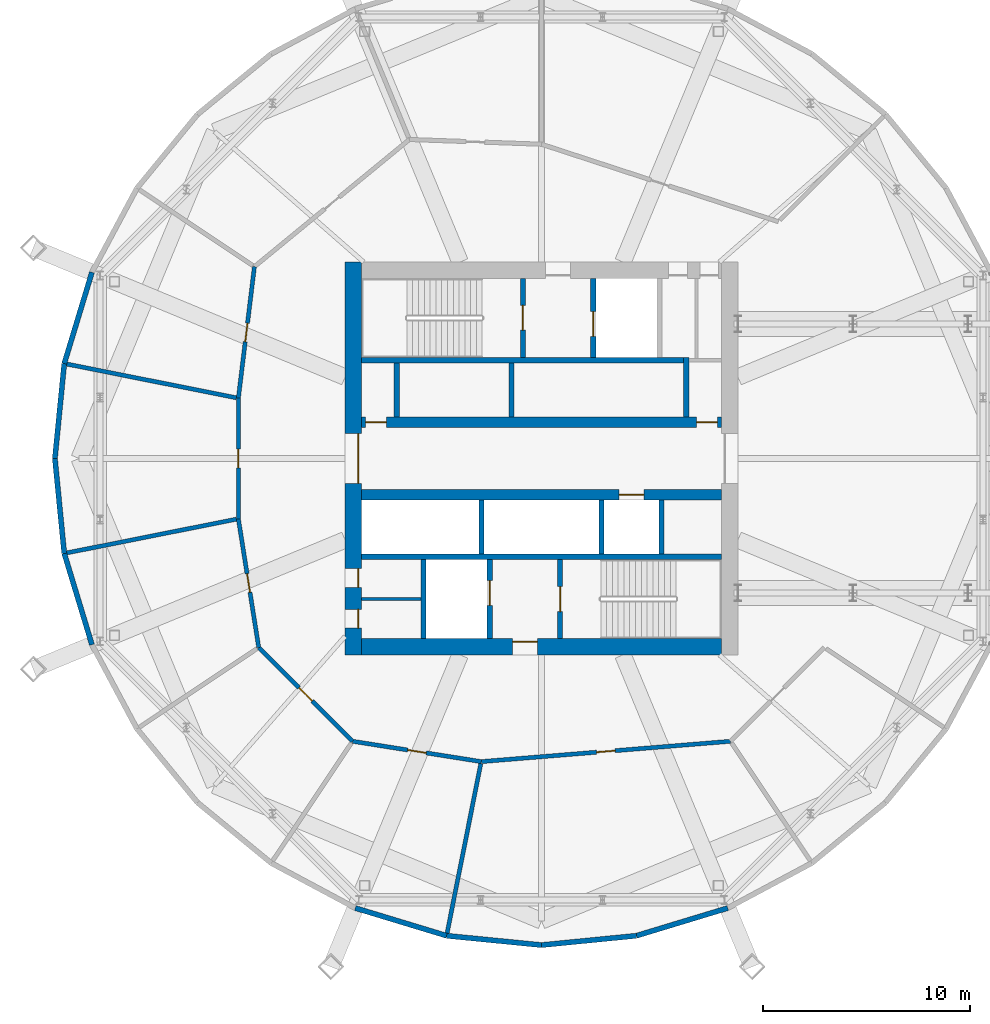
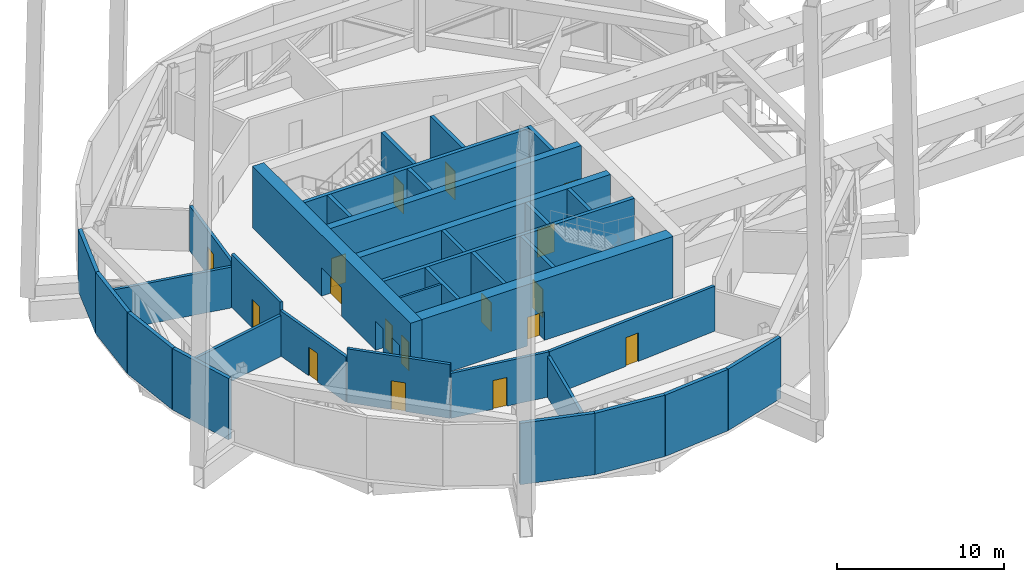
# One storey, part 13 of 19: 35 walls, 17 doors, 17 openings.
"""IFC4 building model written with IfcOpenShell, lengths in metres."""

from ifc_helpers import new_model, si_unit, direction, frame, frame_2d, origin, place, context, subcontext, project, spatial, rectangle, extrude, material, layer, layer_set, type_object, element, fill, save


model = new_model("IFC4")

# Units and contexts
model_context = context("Model", 3, precision=1e-05, world=origin(), true_north=direction((0.0, 1.0)))
body_context = subcontext(model_context, "Body", "Model", "MODEL_VIEW")
ifc_project = project(units=[si_unit("LENGTHUNIT", "METRE"), si_unit("AREAUNIT", "SQUARE_METRE"), si_unit("VOLUMEUNIT", "CUBIC_METRE"), si_unit("PLANEANGLEUNIT", "RADIAN"), si_unit("MASSUNIT", "GRAM", prefix="KILO")], contexts=[model_context])

# Site, building, storey
site_placement = place(None, origin())
site = spatial("IfcSite", under=ifc_project, at=site_placement, CompositionType="ELEMENT")
building_placement = place(site_placement, origin())
building = spatial("IfcBuilding", under=site, at=building_placement, Name="Ogive Gate Towers", CompositionType="ELEMENT")
storey_placement = place(building_placement, frame((0.0, 0.0, 130.800048828125)))
storey = spatial("IfcBuildingStorey", under=building, at=storey_placement, Name="L31", CompositionType="ELEMENT", Elevation=130.800048828125)

# Walls
ifc_material_1 = material(Name="Fire-rated block compartment wall")
ifc_layer_1 = layer(ifc_material_1, 0.199951171875)
ifc_layer_set_1 = layer_set([ifc_layer_1], Name="Compartment wall 200")
wall_type_1 = type_object("IfcWallType", Name="Compartment wall 200", PredefinedType="PARTITIONING", material=ifc_layer_set_1)
for number, where, z_axis, x_axis, name in (
    (1, (-59.096923828125, 4.59423828125, 0.0), (0.0, 0.0, 1.0), (0.980786532217, -0.195084028616, 0.0), "Partition T1-L31-005"),
    (2, (-59.096923828125, -4.59423828125, 0.0), (0.0, 0.0, 1.0), (0.980786532217, 0.195084028616, 0.0), "Partition T1-L31-006"),
    (3, (-40.59423828125, -23.096923828125, 0.0), (0.0, 0.0, 1.0), (0.195084028616, 0.980786532217, 0.0), "Partition T1-L31-009"),
):
    element("IfcWall", number, at=place(storey_placement, frame(where, z_axis=z_axis, x_axis=x_axis)), inside=storey, type_object=wall_type_1, Name=name, PredefinedType="PARTITIONING", context=body_context, shape_type="SweptSolid", body=[
        extrude(rectangle(XDim=8.507568359375, YDim=0.199951171875, at=frame_2d((4.25390625, 0.0))), origin(), (0.0, 0.0, 1.0), 3.0),
    ])

# Wall, opening, door
wall_1_placement = place(storey_placement, frame((-49.87890625, 9.273681640625, 0.0), z_axis=(0.0, 0.0, 1.0), x_axis=(-0.121121239306, -0.992637721119, 0.0)))
wall_1 = element("IfcWall", 4, at=wall_1_placement, inside=storey, type_object=wall_type_1, Name="Partition T1-L31-015", PredefinedType="PARTITIONING", context=body_context, shape_type="SweptSolid", body=[
    extrude(rectangle(XDim=6.40576171875, YDim=0.199951171875, at=frame_2d((3.202880859375, 0.0))), origin(), (0.0, 0.0, 1.0), 3.300048828125),
])
opening_1_placement = place(wall_1_placement, frame((2.7529296875, 0.0, 0.0)))
opening_1 = element("IfcOpeningElement", 5, at=opening_1_placement, cuts=wall_1, Name="Opening T1-L31-D04", PredefinedType="OPENING", context=body_context, shape_type="SweptSolid", body=[
    extrude(rectangle(XDim=0.89990234375, YDim=2.10009765625, at=frame_2d((0.449951171875, 1.050048828125))), frame((0.0, 0.10986328125, 0.0), z_axis=(0.0, -1.0, 0.0), x_axis=(1.0, 0.0, 0.0)), (0.0, 0.0, 1.0), 0.219970703125),
])
ifc_material_2 = material(Name="Steel fire door", Category="steel")
door_type_1 = type_object("IfcDoorType", Name="Fire door 900 FD30S", OperationType="NOTDEFINED", PredefinedType="DOOR", material=ifc_material_2)
door_1_placement = place(opening_1_placement, origin())
door_1 = element("IfcDoor", 6, at=door_1_placement, inside=storey, type_object=door_type_1, Name="Door T1-L31-D04", OperationType="SINGLE_SWING_RIGHT", OverallHeight=2.10009765625, OverallWidth=0.89990234375, PredefinedType="DOOR", context=body_context, shape_type="SweptSolid", body=[
    extrude(rectangle(XDim=0.89990234375, YDim=2.10009765625, at=frame_2d((0.449951171875, 1.050048828125))), frame((0.0, 0.02490234375, 0.0), z_axis=(0.0, -1.0, 0.0), x_axis=(1.0, 0.0, 0.0)), (0.0, 0.0, 1.0), 0.050048828125),
])
fill(opening_1, door_1)

wall_2_placement = place(storey_placement, frame((-50.65478515625, 2.9150390625, 0.0), z_axis=(0.0, 0.0, 1.0), x_axis=(0.0, -1.0, 0.0)))
wall_2 = element("IfcWall", 7, at=wall_2_placement, inside=storey, type_object=wall_type_1, Name="Partition T1-L31-016", PredefinedType="PARTITIONING", context=body_context, shape_type="SweptSolid", body=[
    extrude(rectangle(XDim=5.830078125, YDim=0.199951171875, at=frame_2d((2.9150390625, 0.0))), origin(), (0.0, 0.0, 1.0), 3.89990234375),
])
opening_2_placement = place(wall_2_placement, frame((2.465087890625, 0.0, 0.0)))
opening_2 = element("IfcOpeningElement", 8, at=opening_2_placement, cuts=wall_2, Name="Opening T1-L31-D05", PredefinedType="OPENING", context=body_context, shape_type="SweptSolid", body=[
    extrude(rectangle(XDim=0.89990234375, YDim=2.10009765625, at=frame_2d((0.449951171875, 1.050048828125))), frame((0.0, 0.10986328125, 0.0), z_axis=(0.0, -1.0, 0.0), x_axis=(1.0, 0.0, 0.0)), (0.0, 0.0, 1.0), 0.219970703125),
])
door_2_placement = place(opening_2_placement, origin())
door_2 = element("IfcDoor", 9, at=door_2_placement, inside=storey, type_object=door_type_1, Name="Door T1-L31-D05", OperationType="SINGLE_SWING_LEFT", OverallHeight=2.10009765625, OverallWidth=0.89990234375, PredefinedType="DOOR", context=body_context, shape_type="SweptSolid", body=[
    extrude(rectangle(XDim=0.89990234375, YDim=2.10009765625, at=frame_2d((0.449951171875, 1.050048828125))), frame((0.0, 0.02490234375, 0.0), z_axis=(0.0, -1.0, 0.0), x_axis=(1.0, 0.0, 0.0)), (0.0, 0.0, 1.0), 0.050048828125),
])
fill(opening_2, door_2)

wall_3_placement = place(storey_placement, frame((-50.65478515625, -2.9150390625, 0.0), z_axis=(0.0, 0.0, 1.0), x_axis=(0.156245277674, -0.987718286357, 0.0)))
wall_3 = element("IfcWall", 10, at=wall_3_placement, inside=storey, type_object=wall_type_1, Name="Partition T1-L31-017", PredefinedType="PARTITIONING", context=body_context, shape_type="SweptSolid", body=[
    extrude(rectangle(XDim=6.297119140625, YDim=0.199951171875, at=frame_2d((3.1484375, 0.0))), origin(), (0.0, 0.0, 1.0), 3.300048828125),
])
opening_3_placement = place(wall_3_placement, frame((2.697998046875, 0.0, 0.0)))
opening_3 = element("IfcOpeningElement", 11, at=opening_3_placement, cuts=wall_3, Name="Opening T1-L31-D06", PredefinedType="OPENING", context=body_context, shape_type="SweptSolid", body=[
    extrude(rectangle(XDim=0.89990234375, YDim=2.10009765625, at=frame_2d((0.449951171875, 1.050048828125))), frame((0.0, 0.10986328125, 0.0), z_axis=(0.0, -1.0, 0.0), x_axis=(1.0, 0.0, 0.0)), (0.0, 0.0, 1.0), 0.219970703125),
])
door_3_placement = place(opening_3_placement, origin())
door_3 = element("IfcDoor", 12, at=door_3_placement, inside=storey, type_object=door_type_1, Name="Door T1-L31-D06", OperationType="SINGLE_SWING_LEFT", OverallHeight=2.10009765625, OverallWidth=0.89990234375, PredefinedType="DOOR", context=body_context, shape_type="SweptSolid", body=[
    extrude(rectangle(XDim=0.89990234375, YDim=2.10009765625, at=frame_2d((0.449951171875, 1.050048828125))), frame((0.0, 0.02490234375, 0.0), z_axis=(0.0, -1.0, 0.0), x_axis=(1.0, 0.0, 0.0)), (0.0, 0.0, 1.0), 0.050048828125),
])
fill(opening_3, door_3)

wall_4_placement = place(storey_placement, frame((-49.6708984375, -9.134765625, 0.0), z_axis=(0.0, 0.0, 1.0), x_axis=(0.707106781187, -0.707106781187, 0.0)))
wall_4 = element("IfcWall", 13, at=wall_4_placement, inside=storey, type_object=wall_type_1, Name="Partition T1-L31-018", PredefinedType="PARTITIONING", context=body_context, shape_type="SweptSolid", body=[
    extrude(rectangle(XDim=6.4150390625, YDim=0.199951171875, at=frame_2d((3.20751953125, 0.0))), origin(), (0.0, 0.0, 1.0), 3.949951171875),
])
opening_4_placement = place(wall_4_placement, frame((2.758056640625, 0.0, 0.0)))
opening_4 = element("IfcOpeningElement", 14, at=opening_4_placement, cuts=wall_4, Name="Opening T1-L31-D07", PredefinedType="OPENING", context=body_context, shape_type="SweptSolid", body=[
    extrude(rectangle(XDim=0.89990234375, YDim=2.10009765625, at=frame_2d((0.449951171875, 1.050048828125))), frame((0.0, 0.10986328125, 0.0), z_axis=(0.0, -1.0, 0.0), x_axis=(1.0, 0.0, 0.0)), (0.0, 0.0, 1.0), 0.219970703125),
])
door_4_placement = place(opening_4_placement, origin())
door_4 = element("IfcDoor", 15, at=door_4_placement, inside=storey, type_object=door_type_1, Name="Door T1-L31-D07", OperationType="SINGLE_SWING_LEFT", OverallHeight=2.10009765625, OverallWidth=0.89990234375, PredefinedType="DOOR", context=body_context, shape_type="SweptSolid", body=[
    extrude(rectangle(XDim=0.89990234375, YDim=2.10009765625, at=frame_2d((0.449951171875, 1.050048828125))), frame((0.0, 0.02490234375, 0.0), z_axis=(0.0, -1.0, 0.0), x_axis=(1.0, 0.0, 0.0)), (0.0, 0.0, 1.0), 0.050048828125),
])
fill(opening_4, door_4)

wall_5_placement = place(storey_placement, frame((-45.134765625, -13.6708984375, 0.0), z_axis=(0.0, 0.0, 1.0), x_axis=(0.987718286357, -0.156245277674, 0.0)))
wall_5 = element("IfcWall", 16, at=wall_5_placement, inside=storey, type_object=wall_type_1, Name="Partition T1-L31-019", PredefinedType="PARTITIONING", context=body_context, shape_type="SweptSolid", body=[
    extrude(rectangle(XDim=6.297119140625, YDim=0.199951171875, at=frame_2d((3.1484375, 0.0))), origin(), (0.0, 0.0, 1.0), 3.300048828125),
])
opening_5_placement = place(wall_5_placement, frame((2.697998046875, 0.0, 0.0)))
opening_5 = element("IfcOpeningElement", 17, at=opening_5_placement, cuts=wall_5, Name="Opening T1-L31-D08", PredefinedType="OPENING", context=body_context, shape_type="SweptSolid", body=[
    extrude(rectangle(XDim=0.89990234375, YDim=2.10009765625, at=frame_2d((0.449951171875, 1.050048828125))), frame((0.0, 0.10986328125, 0.0), z_axis=(0.0, -1.0, 0.0), x_axis=(1.0, 0.0, 0.0)), (0.0, 0.0, 1.0), 0.219970703125),
])
door_5_placement = place(opening_5_placement, origin())
door_5 = element("IfcDoor", 18, at=door_5_placement, inside=storey, type_object=door_type_1, Name="Door T1-L31-D08", OperationType="SINGLE_SWING_RIGHT", OverallHeight=2.10009765625, OverallWidth=0.89990234375, PredefinedType="DOOR", context=body_context, shape_type="SweptSolid", body=[
    extrude(rectangle(XDim=0.89990234375, YDim=2.10009765625, at=frame_2d((0.449951171875, 1.050048828125))), frame((0.0, 0.02490234375, 0.0), z_axis=(0.0, -1.0, 0.0), x_axis=(1.0, 0.0, 0.0)), (0.0, 0.0, 1.0), 0.050048828125),
])
fill(opening_5, door_5)

wall_6_placement = place(storey_placement, frame((-38.9150390625, -14.65478515625, 0.0), z_axis=(0.0, 0.0, 1.0), x_axis=(0.996683078346, 0.081380841351, 0.0)))
wall_6 = element("IfcWall", 19, at=wall_6_placement, inside=storey, type_object=wall_type_1, Name="Partition T1-L31-020", PredefinedType="PARTITIONING", context=body_context, shape_type="SweptSolid", body=[
    extrude(rectangle(XDim=12.08984375, YDim=0.199951171875, at=frame_2d((6.044921875, 0.0))), origin(), (0.0, 0.0, 1.0), 3.300048828125),
])
opening_6_placement = place(wall_6_placement, frame((5.594970703125, 0.0, 0.0)))
opening_6 = element("IfcOpeningElement", 20, at=opening_6_placement, cuts=wall_6, Name="Opening T1-L31-D09", PredefinedType="OPENING", context=body_context, shape_type="SweptSolid", body=[
    extrude(rectangle(XDim=0.89990234375, YDim=2.10009765625, at=frame_2d((0.449951171875, 1.050048828125))), frame((0.0, 0.10986328125, 0.0), z_axis=(0.0, -1.0, 0.0), x_axis=(1.0, 0.0, 0.0)), (0.0, 0.0, 1.0), 0.219970703125),
])
door_6_placement = place(opening_6_placement, origin())
door_6 = element("IfcDoor", 21, at=door_6_placement, inside=storey, type_object=door_type_1, Name="Door T1-L31-D09", OperationType="SINGLE_SWING_LEFT", OverallHeight=2.10009765625, OverallWidth=0.89990234375, PredefinedType="DOOR", context=body_context, shape_type="SweptSolid", body=[
    extrude(rectangle(XDim=0.89990234375, YDim=2.10009765625, at=frame_2d((0.449951171875, 1.050048828125))), frame((0.0, 0.02490234375, 0.0), z_axis=(0.0, -1.0, 0.0), x_axis=(1.0, 0.0, 0.0)), (0.0, 0.0, 1.0), 0.050048828125),
])
fill(opening_6, door_6)

ifc_material_3 = material(Name="Concrete C60/75", Category="concrete")
ifc_layer_2 = layer(ifc_material_3, 0.800048828125)
ifc_layer_set_2 = layer_set([ifc_layer_2], Name="Core wall 800 mm")
wall_type_2 = type_object("IfcWallType", Name="Core wall 800 mm", PredefinedType="SHEAR", material=ifc_layer_set_2)
wall_7_placement = place(storey_placement, frame((-44.699951171875, -9.10009765625, 0.0), z_axis=(0.0, 0.0, 1.0), x_axis=(1.0, 0.0, 0.0)))
wall_7 = element("IfcWall", 22, at=wall_7_placement, inside=storey, type_object=wall_type_2, Name="T1 L31 Core wall 800 mm", PredefinedType="SHEAR", context=body_context, shape_type="SweptSolid", body=[
    extrude(rectangle(XDim=17.39990234375, YDim=0.800048828125, at=frame_2d((8.699951171875, 0.0))), origin(), (0.0, 0.0, 1.0), 4.5),
])
opening_7_placement = place(wall_7_placement, frame((7.300048828125, 0.0, 0.0)))
opening_7 = element("IfcOpeningElement", 23, at=opening_7_placement, cuts=wall_7, Name="Opening KD-T1-L31-11", PredefinedType="OPENING", context=body_context, shape_type="SweptSolid", body=[
    extrude(rectangle(XDim=1.199951171875, YDim=2.10009765625, at=frame_2d((0.60009765625, 1.050048828125))), frame((0.0, 0.41015625, 0.0), z_axis=(0.0, -1.0, 0.0), x_axis=(1.0, 0.0, 0.0)), (0.0, 0.0, 1.0), 0.820068359375),
])
door_type_2 = type_object("IfcDoorType", Name="Core door FD60S 1200 x 2100", OperationType="NOTDEFINED", PredefinedType="DOOR", material=ifc_material_2)
door_7_placement = place(opening_7_placement, origin())
door_7 = element("IfcDoor", 24, at=door_7_placement, inside=storey, type_object=door_type_2, Name="T1 L31 Fire-fighting lobby door", OperationType="SINGLE_SWING_RIGHT", OverallHeight=2.10009765625, OverallWidth=1.199951171875, PredefinedType="DOOR", context=body_context, shape_type="SweptSolid", body=[
    extrude(rectangle(XDim=1.199951171875, YDim=2.10009765625, at=frame_2d((0.60009765625, 1.050048828125))), frame((0.0, 0.27490234375, 0.0), z_axis=(0.0, -1.0, 0.0), x_axis=(1.0, 0.0, 0.0)), (0.0, 0.0, 1.0), 0.050048828125),
])
fill(opening_7, door_7)

# Wall, openings, doors
wall_8_placement = place(storey_placement, frame((-45.10009765625, -9.5, 0.0), z_axis=(0.0, 0.0, 1.0), x_axis=(0.0, 1.0, 0.0)))
wall_8 = element("IfcWall", 25, at=wall_8_placement, inside=storey, type_object=wall_type_2, Name="T1 L31 Core wall 800 mm", PredefinedType="SHEAR", context=body_context, shape_type="SweptSolid", body=[
    extrude(rectangle(XDim=19.0, YDim=0.800048828125, at=frame_2d((9.5, 0.0))), origin(), (0.0, 0.0, 1.0), 4.5),
])
opening_8_placement = place(wall_8_placement, frame((8.300048828125, 0.0, 0.0)))
opening_8 = element("IfcOpeningElement", 26, at=opening_8_placement, cuts=wall_8, Name="Opening KD-T1-L31-01", PredefinedType="OPENING", context=body_context, shape_type="SweptSolid", body=[
    extrude(rectangle(XDim=2.39990234375, YDim=2.10009765625, at=frame_2d((1.199951171875, 1.050048828125))), frame((0.0, 0.41015625, 0.0), z_axis=(0.0, -1.0, 0.0), x_axis=(1.0, 0.0, 0.0)), (0.0, 0.0, 1.0), 0.820068359375),
])
opening_9_placement = place(wall_8_placement, frame((1.300048828125, 0.0, 0.0)))
opening_9 = element("IfcOpeningElement", 27, at=opening_9_placement, cuts=wall_8, Name="Opening KD-T1-L31-14", PredefinedType="OPENING", context=body_context, shape_type="SweptSolid", body=[
    extrude(rectangle(XDim=0.89990234375, YDim=2.10009765625, at=frame_2d((0.449951171875, 1.050048828125))), frame((0.0, 0.41015625, 0.0), z_axis=(0.0, -1.0, 0.0), x_axis=(1.0, 0.0, 0.0)), (0.0, 0.0, 1.0), 0.820068359375),
])
opening_10_placement = place(wall_8_placement, frame((3.27490234375, 0.0, 0.0)))
opening_10 = element("IfcOpeningElement", 28, at=opening_10_placement, cuts=wall_8, Name="Opening KD-T1-L31-15", PredefinedType="OPENING", context=body_context, shape_type="SweptSolid", body=[
    extrude(rectangle(XDim=0.89990234375, YDim=2.10009765625, at=frame_2d((0.449951171875, 1.050048828125))), frame((0.0, 0.41015625, 0.0), z_axis=(0.0, -1.0, 0.0), x_axis=(1.0, 0.0, 0.0)), (0.0, 0.0, 1.0), 0.820068359375),
])
door_type_3 = type_object("IfcDoorType", Name="Core door FD60S 900 x 2100", OperationType="NOTDEFINED", PredefinedType="DOOR", material=ifc_material_2)
door_8_placement = place(opening_9_placement, origin())
door_8 = element("IfcDoor", 29, at=door_8_placement, inside=storey, type_object=door_type_3, Name="T1 L31 Core door", OperationType="SINGLE_SWING_LEFT", OverallHeight=2.10009765625, OverallWidth=0.89990234375, PredefinedType="DOOR", context=body_context, shape_type="SweptSolid", body=[
    extrude(rectangle(XDim=0.89990234375, YDim=2.10009765625, at=frame_2d((0.449951171875, 1.050048828125))), frame((0.0, -0.22509765625, 0.0), z_axis=(0.0, -1.0, 0.0), x_axis=(1.0, 0.0, 0.0)), (0.0, 0.0, 1.0), 0.050048828125),
])
fill(opening_9, door_8)
door_9_placement = place(opening_10_placement, origin())
door_9 = element("IfcDoor", 30, at=door_9_placement, inside=storey, type_object=door_type_3, Name="T1 L31 Core door", OperationType="SINGLE_SWING_RIGHT", OverallHeight=2.10009765625, OverallWidth=0.89990234375, PredefinedType="DOOR", context=body_context, shape_type="SweptSolid", body=[
    extrude(rectangle(XDim=0.89990234375, YDim=2.10009765625, at=frame_2d((0.449951171875, 1.050048828125))), frame((0.0, -0.22509765625, 0.0), z_axis=(0.0, -1.0, 0.0), x_axis=(1.0, 0.0, 0.0)), (0.0, 0.0, 1.0), 0.050048828125),
])
fill(opening_10, door_9)
door_type_4 = type_object("IfcDoorType", Name="Core double door FD60S 2400 x 2100", OperationType="DOUBLE_DOOR_SINGLE_SWING", PredefinedType="DOOR", material=ifc_material_2)
door_10_placement = place(opening_8_placement, origin())
door_10 = element("IfcDoor", 31, at=door_10_placement, inside=storey, type_object=door_type_4, Name="T1 L31 Core door double", OperationType="DOUBLE_DOOR_SINGLE_SWING", OverallHeight=2.10009765625, OverallWidth=2.39990234375, PredefinedType="DOOR", context=body_context, shape_type="SweptSolid", body=[
    extrude(rectangle(XDim=2.39990234375, YDim=2.10009765625, at=frame_2d((1.199951171875, 1.050048828125))), frame((0.0, -0.22509765625, 0.0), z_axis=(0.0, -1.0, 0.0), x_axis=(1.0, 0.0, 0.0)), (0.0, 0.0, 1.0), 0.050048828125),
])
fill(opening_8, door_10)

# Walls
ifc_material_4 = material(Name="Pale metal aluminium louvre", Category="aluminium")
ifc_layer_3 = layer(ifc_material_4, 0.25)
ifc_layer_set_3 = layer_set([ifc_layer_3], Name="Plant louvre wall")
wall_type_3 = type_object("IfcWallType", Name="Plant louvre wall", PredefinedType="SOLIDWALL", material=ifc_layer_set_3)
for number, where, z_axis, x_axis, name in (
    (32, (-57.734130859375, 9.002685546875, 0.0), (0.0, 0.0, 1.0), (-0.290318871111, -0.956929962472, 0.0), "Plant louvre wall"),
    (33, (-59.072998046875, 4.589599609375, 0.0), (0.0, 0.0, 1.0), (-0.097988833916, -0.995187514204, 0.0), "Plant louvre wall"),
    (34, (-59.52490234375, 0.0, 0.0), (0.0, 0.0, 1.0), (0.097988833916, -0.995187514204, 0.0), "Plant louvre wall"),
    (35, (-59.072998046875, -4.589599609375, 0.0), (0.0, 0.0, 1.0), (0.290318871111, -0.956929962472, 0.0), "Plant louvre wall"),
    (36, (-45.002685546875, -21.734130859375, 0.0), (0.0, 0.0, 1.0), (0.956929962472, -0.290318871111, 0.0), "Plant louvre wall"),
    (37, (-40.589599609375, -23.072998046875, 0.0), (0.0, 0.0, 1.0), (0.995187514204, -0.097988833916, 0.0), "Plant louvre wall"),
    (38, (-36.0, -23.52490234375, 0.0), (0.0, 0.0, 1.0), (0.995187514204, 0.097988833916, 0.0), "Plant louvre wall"),
    (39, (-31.410400390625, -23.072998046875, 0.0), (0.0, 0.0, 1.0), (0.956929962472, 0.290318871111, 0.0), "Plant louvre wall"),
):
    element("IfcWall", number, at=place(storey_placement, frame(where, z_axis=z_axis, x_axis=x_axis)), inside=storey, type_object=wall_type_3, Name=name, PredefinedType="SOLIDWALL", context=body_context, shape_type="SweptSolid", body=[
        extrude(rectangle(XDim=4.61181640625, YDim=0.25, at=frame_2d((2.305908203125, 0.0))), origin(), (0.0, 0.0, 1.0), 4.5),
    ])
ifc_material_5 = material(Name="Gypsum board partition")
ifc_layer_4 = layer(ifc_material_5, 0.14990234375)
ifc_layer_set_4 = layer_set([ifc_layer_4], Name="Room partition 150 mm")
wall_type_4 = type_object("IfcWallType", Name="Room partition 150 mm", PredefinedType="PARTITIONING", material=ifc_layer_set_4)
wall_9_placement = place(storey_placement, frame((-44.699951171875, -6.800048828125, 0.0), z_axis=(0.0, 0.0, 1.0), x_axis=(1.0, 0.0, 0.0)))
element("IfcWall", 40, at=wall_9_placement, inside=storey, type_object=wall_type_4, Name="T1 L31 Room partition 150 mm", PredefinedType="PARTITIONING", context=body_context, shape_type="SweptSolid", body=[
    extrude(rectangle(XDim=2.875, YDim=0.14990234375, at=frame_2d((1.4375, 0.0))), origin(), (0.0, 0.0, 1.0), 4.5),
])
ifc_layer_5 = layer(ifc_material_3, 0.25)
ifc_layer_set_5 = layer_set([ifc_layer_5], Name="Shaft wall 250 mm")
wall_type_5 = type_object("IfcWallType", Name="Shaft wall 250 mm", PredefinedType="SHEAR", material=ifc_layer_set_5)
wall_10_placement = place(storey_placement, frame((-44.699951171875, -4.75, 0.0), z_axis=(0.0, 0.0, 1.0), x_axis=(1.0, 0.0, 0.0)))
element("IfcWall", 41, at=wall_10_placement, inside=storey, type_object=wall_type_5, Name="T1 L31 Shaft wall 250 mm", PredefinedType="SHEAR", context=body_context, shape_type="SweptSolid", body=[
    extrude(rectangle(XDim=17.39990234375, YDim=0.25, at=frame_2d((8.699951171875, 0.0))), origin(), (0.0, 0.0, 1.0), 4.5),
])
wall_11_placement = place(storey_placement, frame((-44.699951171875, 4.75, 0.0), z_axis=(0.0, 0.0, 1.0), x_axis=(1.0, 0.0, 0.0)))
element("IfcWall", 42, at=wall_11_placement, inside=storey, type_object=wall_type_5, Name="T1 L31 Shaft wall 250 mm", PredefinedType="SHEAR", context=body_context, shape_type="SweptSolid", body=[
    extrude(rectangle(XDim=15.574951171875, YDim=0.25, at=frame_2d((7.78759765625, 0.0))), origin(), (0.0, 0.0, 1.0), 4.5),
])
wall_12_placement = place(storey_placement, frame((-43.0, 2.0, 0.0), z_axis=(0.0, 0.0, 1.0), x_axis=(0.0, 1.0, 0.0)))
element("IfcWall", 43, at=wall_12_placement, inside=storey, type_object=wall_type_5, Name="T1 L31 Shaft wall 250 mm", PredefinedType="SHEAR", context=body_context, shape_type="SweptSolid", body=[
    extrude(rectangle(XDim=2.625, YDim=0.25, at=frame_2d((1.3125, 0.0))), origin(), (0.0, 0.0, 1.0), 4.5),
])
wall_13_placement = place(storey_placement, frame((-41.699951171875, -8.699951171875, 0.0), z_axis=(0.0, 0.0, 1.0), x_axis=(0.0, 1.0, 0.0)))
element("IfcWall", 44, at=wall_13_placement, inside=storey, type_object=wall_type_5, Name="T1 L31 Shaft wall 250 mm", PredefinedType="SHEAR", context=body_context, shape_type="SweptSolid", body=[
    extrude(rectangle(XDim=3.824951171875, YDim=0.25, at=frame_2d((1.91259765625, 0.0))), origin(), (0.0, 0.0, 1.0), 4.5),
])
wall_14_placement = place(storey_placement, frame((-38.89990234375, -4.625, 0.0), z_axis=(0.0, 0.0, 1.0), x_axis=(0.0, 1.0, 0.0)))
element("IfcWall", 45, at=wall_14_placement, inside=storey, type_object=wall_type_5, Name="T1 L31 Shaft wall 250 mm", PredefinedType="SHEAR", context=body_context, shape_type="SweptSolid", body=[
    extrude(rectangle(XDim=2.625, YDim=0.25, at=frame_2d((1.3125, 0.0))), origin(), (0.0, 0.0, 1.0), 4.5),
])

# Wall, opening, door
wall_15_placement = place(storey_placement, frame((-38.5, -8.699951171875, 0.0), z_axis=(0.0, 0.0, 1.0), x_axis=(0.0, 1.0, 0.0)))
wall_15 = element("IfcWall", 46, at=wall_15_placement, inside=storey, type_object=wall_type_5, Name="T1 L31 Shaft wall 250 mm", PredefinedType="SHEAR", context=body_context, shape_type="SweptSolid", body=[
    extrude(rectangle(XDim=3.824951171875, YDim=0.25, at=frame_2d((1.91259765625, 0.0))), origin(), (0.0, 0.0, 1.0), 4.5),
])
opening_11_placement = place(wall_15_placement, frame((1.60009765625, 0.0, 0.0)))
opening_11 = element("IfcOpeningElement", 47, at=opening_11_placement, cuts=wall_15, Name="Opening LD-T1-L31-07", PredefinedType="OPENING", context=body_context, shape_type="SweptSolid", body=[
    extrude(rectangle(XDim=1.199951171875, YDim=2.10009765625, at=frame_2d((0.60009765625, 1.050048828125))), frame((0.0, 0.135009765625, 0.0), z_axis=(0.0, -1.0, 0.0), x_axis=(1.0, 0.0, 0.0)), (0.0, 0.0, 1.0), 0.27001953125),
])
ifc_material_6 = material(Name="Stainless steel landing door", Category="steel")
door_type_5 = type_object("IfcDoorType", Name="Landing door 1200 x 2100", OperationType="SLIDING_TO_LEFT", PredefinedType="DOOR", material=ifc_material_6)
door_11_placement = place(opening_11_placement, origin())
door_11 = element("IfcDoor", 48, at=door_11_placement, inside=storey, type_object=door_type_5, Name="T1 L31 Lift landing door FF2", OperationType="SLIDING_TO_LEFT", OverallHeight=2.10009765625, OverallWidth=1.199951171875, PredefinedType="DOOR", context=body_context, shape_type="SweptSolid", body=[
    extrude(rectangle(XDim=1.199951171875, YDim=2.10009765625, at=frame_2d((0.60009765625, 1.050048828125))), frame((0.0, 0.02490234375, 0.0), z_axis=(0.0, -1.0, 0.0), x_axis=(1.0, 0.0, 0.0)), (0.0, 0.0, 1.0), 0.050048828125),
])
fill(opening_11, door_11)

# Wall
wall_16_placement = place(storey_placement, frame((-37.449951171875, 2.0, 0.0), z_axis=(0.0, 0.0, 1.0), x_axis=(0.0, 1.0, 0.0)))
element("IfcWall", 49, at=wall_16_placement, inside=storey, type_object=wall_type_5, Name="T1 L31 Shaft wall 250 mm", PredefinedType="SHEAR", context=body_context, shape_type="SweptSolid", body=[
    extrude(rectangle(XDim=2.625, YDim=0.25, at=frame_2d((1.3125, 0.0))), origin(), (0.0, 0.0, 1.0), 4.5),
])

# Wall, opening, door
wall_17_placement = place(storey_placement, frame((-36.89990234375, 4.875, 0.0), z_axis=(0.0, 0.0, 1.0), x_axis=(0.0, 1.0, 0.0)))
wall_17 = element("IfcWall", 50, at=wall_17_placement, inside=storey, type_object=wall_type_5, Name="T1 L31 Shaft wall 250 mm", PredefinedType="SHEAR", context=body_context, shape_type="SweptSolid", body=[
    extrude(rectangle(XDim=3.824951171875, YDim=0.25, at=frame_2d((1.91259765625, 0.0))), origin(), (0.0, 0.0, 1.0), 4.5),
])
opening_12_placement = place(wall_17_placement, frame((1.324951171875, 0.0, 0.0)))
opening_12 = element("IfcOpeningElement", 51, at=opening_12_placement, cuts=wall_17, Name="Opening KD-T1-L31-08", PredefinedType="OPENING", context=body_context, shape_type="SweptSolid", body=[
    extrude(rectangle(XDim=1.199951171875, YDim=2.10009765625, at=frame_2d((0.60009765625, 1.050048828125))), frame((0.0, 0.135009765625, 0.0), z_axis=(0.0, -1.0, 0.0), x_axis=(1.0, 0.0, 0.0)), (0.0, 0.0, 1.0), 0.27001953125),
])
door_12_placement = place(opening_12_placement, origin())
door_12 = element("IfcDoor", 52, at=door_12_placement, inside=storey, type_object=door_type_2, Name="T1 L31 Stair door", OperationType="SINGLE_SWING_LEFT", OverallHeight=2.10009765625, OverallWidth=1.199951171875, PredefinedType="DOOR", context=body_context, shape_type="SweptSolid", body=[
    extrude(rectangle(XDim=1.199951171875, YDim=2.10009765625, at=frame_2d((0.60009765625, 1.050048828125))), frame((0.0, 0.02490234375, 0.0), z_axis=(0.0, -1.0, 0.0), x_axis=(1.0, 0.0, 0.0)), (0.0, 0.0, 1.0), 0.050048828125),
])
fill(opening_12, door_12)

wall_18_placement = place(storey_placement, frame((-35.10009765625, -8.699951171875, 0.0), z_axis=(0.0, 0.0, 1.0), x_axis=(0.0, 1.0, 0.0)))
wall_18 = element("IfcWall", 53, at=wall_18_placement, inside=storey, type_object=wall_type_5, Name="T1 L31 Shaft wall 250 mm", PredefinedType="SHEAR", context=body_context, shape_type="SweptSolid", body=[
    extrude(rectangle(XDim=3.824951171875, YDim=0.25, at=frame_2d((1.91259765625, 0.0))), origin(), (0.0, 0.0, 1.0), 4.5),
])
opening_13_placement = place(wall_18_placement, frame((1.300048828125, 0.0, 0.0)))
opening_13 = element("IfcOpeningElement", 54, at=opening_13_placement, cuts=wall_18, Name="Opening KD-T1-L31-09", PredefinedType="OPENING", context=body_context, shape_type="SweptSolid", body=[
    extrude(rectangle(XDim=1.199951171875, YDim=2.10009765625, at=frame_2d((0.60009765625, 1.050048828125))), frame((0.0, 0.135009765625, 0.0), z_axis=(0.0, -1.0, 0.0), x_axis=(1.0, 0.0, 0.0)), (0.0, 0.0, 1.0), 0.27001953125),
])
door_13_placement = place(opening_13_placement, origin())
door_13 = element("IfcDoor", 55, at=door_13_placement, inside=storey, type_object=door_type_2, Name="T1 L31 Stair door", OperationType="SINGLE_SWING_RIGHT", OverallHeight=2.10009765625, OverallWidth=1.199951171875, PredefinedType="DOOR", context=body_context, shape_type="SweptSolid", body=[
    extrude(rectangle(XDim=1.199951171875, YDim=2.10009765625, at=frame_2d((0.60009765625, 1.050048828125))), frame((0.0, 0.02490234375, 0.0), z_axis=(0.0, -1.0, 0.0), x_axis=(1.0, 0.0, 0.0)), (0.0, 0.0, 1.0), 0.050048828125),
])
fill(opening_13, door_13)

wall_19_placement = place(storey_placement, frame((-33.5, 4.875, 0.0), z_axis=(0.0, 0.0, 1.0), x_axis=(0.0, 1.0, 0.0)))
wall_19 = element("IfcWall", 56, at=wall_19_placement, inside=storey, type_object=wall_type_5, Name="T1 L31 Shaft wall 250 mm", PredefinedType="SHEAR", context=body_context, shape_type="SweptSolid", body=[
    extrude(rectangle(XDim=3.824951171875, YDim=0.25, at=frame_2d((1.91259765625, 0.0))), origin(), (0.0, 0.0, 1.0), 4.5),
])
opening_14_placement = place(wall_19_placement, frame((1.02490234375, 0.0, 0.0)))
opening_14 = element("IfcOpeningElement", 57, at=opening_14_placement, cuts=wall_19, Name="Opening LD-T1-L31-06", PredefinedType="OPENING", context=body_context, shape_type="SweptSolid", body=[
    extrude(rectangle(XDim=1.199951171875, YDim=2.10009765625, at=frame_2d((0.60009765625, 1.050048828125))), frame((0.0, 0.135009765625, 0.0), z_axis=(0.0, -1.0, 0.0), x_axis=(1.0, 0.0, 0.0)), (0.0, 0.0, 1.0), 0.27001953125),
])
door_14_placement = place(opening_14_placement, origin())
door_14 = element("IfcDoor", 58, at=door_14_placement, inside=storey, type_object=door_type_5, Name="T1 L31 Lift landing door FF1", OperationType="SLIDING_TO_LEFT", OverallHeight=2.10009765625, OverallWidth=1.199951171875, PredefinedType="DOOR", context=body_context, shape_type="SweptSolid", body=[
    extrude(rectangle(XDim=1.199951171875, YDim=2.10009765625, at=frame_2d((0.60009765625, 1.050048828125))), frame((0.0, 0.02490234375, 0.0), z_axis=(0.0, -1.0, 0.0), x_axis=(1.0, 0.0, 0.0)), (0.0, 0.0, 1.0), 0.050048828125),
])
fill(opening_14, door_14)

# Walls
for number, where, z_axis, x_axis, name in (
    (59, (-33.10009765625, -4.625, 0.0), (0.0, 0.0, 1.0), (0.0, 1.0, 0.0), "T1 L31 Shaft wall 250 mm"),
    (60, (-30.199951171875, -4.625, 0.0), (0.0, 0.0, 1.0), (0.0, 1.0, 0.0), "T1 L31 Shaft wall 250 mm"),
):
    element("IfcWall", number, at=place(storey_placement, frame(where, z_axis=z_axis, x_axis=x_axis)), inside=storey, type_object=wall_type_5, Name=name, PredefinedType="SHEAR", context=body_context, shape_type="SweptSolid", body=[
        extrude(rectangle(XDim=2.625, YDim=0.25, at=frame_2d((1.3125, 0.0))), origin(), (0.0, 0.0, 1.0), 4.5),
    ])
wall_20_placement = place(storey_placement, frame((-29.0, 2.0, 0.0), z_axis=(0.0, 0.0, 1.0), x_axis=(0.0, 1.0, 0.0)))
element("IfcWall", 61, at=wall_20_placement, inside=storey, type_object=wall_type_5, Name="T1 L31 Shaft wall 250 mm", PredefinedType="SHEAR", context=body_context, shape_type="SweptSolid", body=[
    extrude(rectangle(XDim=2.875, YDim=0.25, at=frame_2d((1.4375, 0.0))), origin(), (0.0, 0.0, 1.0), 4.5),
])

# Wall, opening, door
ifc_layer_6 = layer(ifc_material_3, 0.5)
ifc_layer_set_6 = layer_set([ifc_layer_6], Name="Spine wall 500 mm")
wall_type_6 = type_object("IfcWallType", Name="Spine wall 500 mm", PredefinedType="SHEAR", material=ifc_layer_set_6)
wall_21_placement = place(storey_placement, frame((-44.699951171875, -1.75, 0.0), z_axis=(0.0, 0.0, 1.0), x_axis=(1.0, 0.0, 0.0)))
wall_21 = element("IfcWall", 62, at=wall_21_placement, inside=storey, type_object=wall_type_6, Name="T1 L31 Spine wall 500 mm", PredefinedType="SHEAR", context=body_context, shape_type="SweptSolid", body=[
    extrude(rectangle(XDim=17.39990234375, YDim=0.5, at=frame_2d((8.699951171875, 0.0))), origin(), (0.0, 0.0, 1.0), 4.5),
])
opening_15_placement = place(wall_21_placement, frame((12.449951171875, 0.0, 0.0)))
opening_15 = element("IfcOpeningElement", 63, at=opening_15_placement, cuts=wall_21, Name="Opening LD-T1-L31-05", PredefinedType="OPENING", context=body_context, shape_type="SweptSolid", body=[
    extrude(rectangle(XDim=1.199951171875, YDim=2.10009765625, at=frame_2d((0.60009765625, 1.050048828125))), frame((0.0, 0.260009765625, 0.0), z_axis=(0.0, -1.0, 0.0), x_axis=(1.0, 0.0, 0.0)), (0.0, 0.0, 1.0), 0.52001953125),
])
door_15_placement = place(opening_15_placement, origin())
door_15 = element("IfcDoor", 64, at=door_15_placement, inside=storey, type_object=door_type_5, Name="T1 L31 Lift landing door SVC", OperationType="SLIDING_TO_LEFT", OverallHeight=2.10009765625, OverallWidth=1.199951171875, PredefinedType="DOOR", context=body_context, shape_type="SweptSolid", body=[
    extrude(rectangle(XDim=1.199951171875, YDim=2.10009765625, at=frame_2d((0.60009765625, 1.050048828125))), frame((0.0, 0.02490234375, 0.0), z_axis=(0.0, -1.0, 0.0), x_axis=(1.0, 0.0, 0.0)), (0.0, 0.0, 1.0), 0.050048828125),
])
fill(opening_15, door_15)

# Wall, openings, doors
wall_22_placement = place(storey_placement, frame((-44.699951171875, 1.75, 0.0), z_axis=(0.0, 0.0, 1.0), x_axis=(1.0, 0.0, 0.0)))
wall_22 = element("IfcWall", 65, at=wall_22_placement, inside=storey, type_object=wall_type_6, Name="T1 L31 Spine wall 500 mm", PredefinedType="SHEAR", context=body_context, shape_type="SweptSolid", body=[
    extrude(rectangle(XDim=17.39990234375, YDim=0.5, at=frame_2d((8.699951171875, 0.0))), origin(), (0.0, 0.0, 1.0), 4.5),
])
opening_16_placement = place(wall_22_placement, frame((0.199951171875, 0.0, 0.0)))
opening_16 = element("IfcOpeningElement", 66, at=opening_16_placement, cuts=wall_22, Name="Opening KD-T1-L31-03", PredefinedType="OPENING", context=body_context, shape_type="SweptSolid", body=[
    extrude(rectangle(XDim=1.0, YDim=2.10009765625, at=frame_2d((0.5, 1.050048828125))), frame((0.0, 0.260009765625, 0.0), z_axis=(0.0, -1.0, 0.0), x_axis=(1.0, 0.0, 0.0)), (0.0, 0.0, 1.0), 0.52001953125),
])
opening_17_placement = place(wall_22_placement, frame((16.199951171875, 0.0, 0.0)))
opening_17 = element("IfcOpeningElement", 67, at=opening_17_placement, cuts=wall_22, Name="Opening KD-T1-L31-04", PredefinedType="OPENING", context=body_context, shape_type="SweptSolid", body=[
    extrude(rectangle(XDim=1.0, YDim=2.10009765625, at=frame_2d((0.5, 1.050048828125))), frame((0.0, 0.260009765625, 0.0), z_axis=(0.0, -1.0, 0.0), x_axis=(1.0, 0.0, 0.0)), (0.0, 0.0, 1.0), 0.52001953125),
])
door_type_6 = type_object("IfcDoorType", Name="Core door FD60S 1000 x 2100", OperationType="NOTDEFINED", PredefinedType="DOOR", material=ifc_material_2)
door_16_placement = place(opening_16_placement, origin())
door_16 = element("IfcDoor", 68, at=door_16_placement, inside=storey, type_object=door_type_6, Name="T1 L31 Core door", OperationType="SINGLE_SWING_RIGHT", OverallHeight=2.10009765625, OverallWidth=1.0, PredefinedType="DOOR", context=body_context, shape_type="SweptSolid", body=[
    extrude(rectangle(XDim=1.0, YDim=2.10009765625, at=frame_2d((0.5, 1.050048828125))), frame((0.0, 0.02490234375, 0.0), z_axis=(0.0, -1.0, 0.0), x_axis=(1.0, 0.0, 0.0)), (0.0, 0.0, 1.0), 0.050048828125),
])
fill(opening_16, door_16)
door_17_placement = place(opening_17_placement, origin())
door_17 = element("IfcDoor", 69, at=door_17_placement, inside=storey, type_object=door_type_6, Name="T1 L31 Core door", OperationType="SINGLE_SWING_LEFT", OverallHeight=2.10009765625, OverallWidth=1.0, PredefinedType="DOOR", context=body_context, shape_type="SweptSolid", body=[
    extrude(rectangle(XDim=1.0, YDim=2.10009765625, at=frame_2d((0.5, 1.050048828125))), frame((0.0, 0.02490234375, 0.0), z_axis=(0.0, -1.0, 0.0), x_axis=(1.0, 0.0, 0.0)), (0.0, 0.0, 1.0), 0.050048828125),
])
fill(opening_17, door_17)

save(model, "model.ifc")
